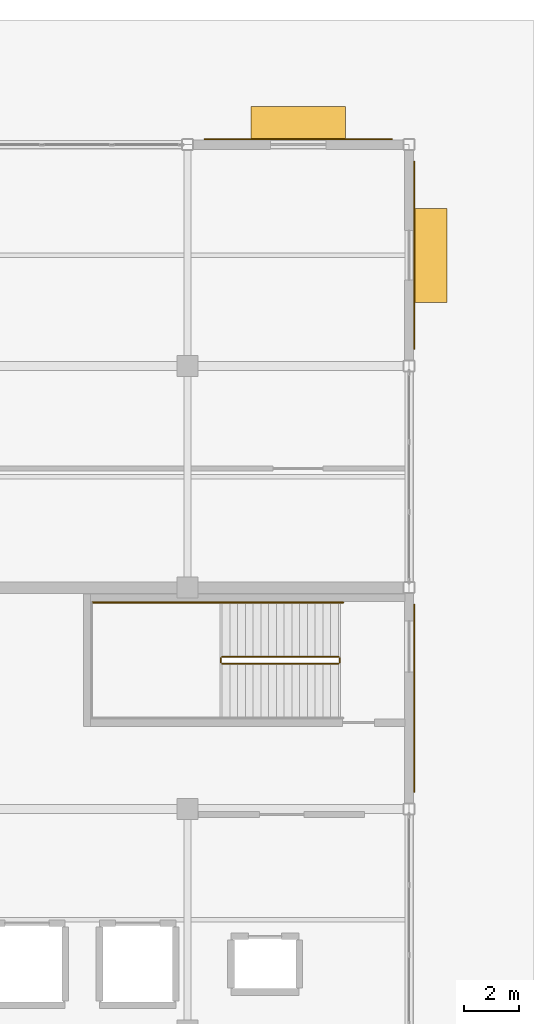
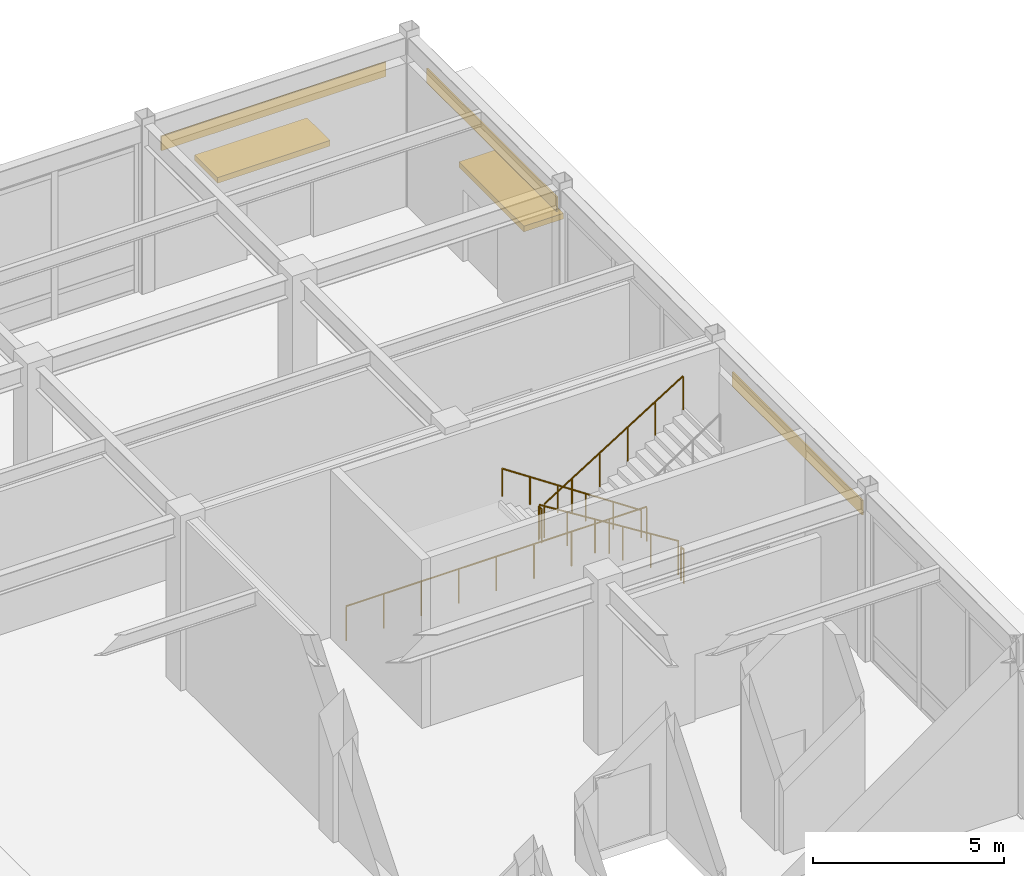
# One storey, part 127 of 128: 6 railings, 3 coverings, 2 shading devices.
"""IFC4 building model written with IfcOpenShell, lengths in metres."""

from ifc_helpers import new_model, si_unit, direction, frame, origin, origin_2d, place, context, subcontext, project, spatial, rectangle, circle, extrude, material, layer, layer_set, type_object, element, save


model = new_model("IFC4")

# Units and contexts
model_context = context("Model", 3, precision=1e-05, world=origin(), true_north=direction((0.0, 1.0)))
body_context = subcontext(model_context, "Body", "Model", "MODEL_VIEW")
ifc_project = project(units=[si_unit("LENGTHUNIT", "METRE"), si_unit("AREAUNIT", "SQUARE_METRE"), si_unit("VOLUMEUNIT", "CUBIC_METRE"), si_unit("PLANEANGLEUNIT", "RADIAN"), si_unit("MASSUNIT", "GRAM", prefix="KILO")], contexts=[model_context])

# Site, building, storey
site_placement = place(None, origin())
site = spatial("IfcSite", under=ifc_project, at=site_placement, CompositionType="ELEMENT")
building_placement = place(site_placement, origin())
building = spatial("IfcBuilding", under=site, at=building_placement, Name="Solmirada Galleria", CompositionType="ELEMENT")
storey_placement = place(building_placement, origin())
storey = spatial("IfcBuildingStorey", under=building, at=storey_placement, Name="L00", CompositionType="ELEMENT", Elevation=0.0)

# Coverings
ifc_material_1 = material(Name="Limestone cladding panels", Category="masonry")
ifc_layer = layer(ifc_material_1, 0.044921875)
ifc_layer_set = layer_set([ifc_layer], Name="Limestone cladding panels")
covering_type = type_object("IfcCoveringType", Name="COV-CLAD-LIME", PredefinedType="CLADDING", material=ifc_layer_set)
for number, where, z_axis, x_axis, name in (
    (1, (172.0, 120.1923828125, 4.090087890625), (0.0, 0.0, 1.0), (1.0, 0.0, 0.0), "Postmodern facade cladding L00-021"),
    (2, (176.1923828125, 116.0, 4.090087890625), (0.0, 0.0, 1.0), (0.0, -1.0, 0.0), "Postmodern facade cladding L00-022"),
    (3, (176.1923828125, 100.0, 4.090087890625), (0.0, 0.0, 1.0), (0.0, -1.0, 0.0), "Postmodern facade cladding L00-023"),
):
    element("IfcCovering", number, at=place(storey_placement, frame(where, z_axis=z_axis, x_axis=x_axis)), inside=storey, type_object=covering_type, Name=name, PredefinedType="CLADDING", context=body_context, shape_type="SweptSolid", body=[
        extrude(rectangle(XDim=6.7939453125, YDim=0.044921875, at=origin_2d()), origin(), (0.0, 0.0, 1.0), 0.4599609375),
    ])

# Railings
ifc_material_2 = material(Name="Painted steel tubular railing", Category="steel")
railing_type_1 = type_object("IfcRailingType", Name="RAIL-STAIR-GUARD", PredefinedType="GUARDRAIL", material=ifc_material_2)
railing_1_placement = place(storey_placement, frame((173.449951171875, 101.5, 0.175048828125)))
element("IfcRailing", 4, at=railing_1_placement, inside=storey, type_object=railing_type_1, Name="L00 ST4 stair guard 1", PredefinedType="GUARDRAIL", context=body_context, shape_type="SweptSolid", body=[
    extrude(circle(Radius=0.02392578125, at=origin_2d()), frame((0.0, 0.0, 1.076171875), z_axis=(-0.847995534698, 0.0, 0.530003370869), x_axis=(0.0, -1.0, 0.0)), (0.0, 0.0, 1.0), 4.952880859375),
    extrude(circle(Radius=0.02099609375, at=origin_2d()), origin(), (0.0, 0.0, 1.0), 1.048095703125),
    extrude(circle(Radius=0.02099609375, at=origin_2d()), frame((-0.840087890625, 0.0, 0.52490234375)), (0.0, 0.0, 1.0), 1.048095703125),
    extrude(circle(Radius=0.02099609375, at=origin_2d()), frame((-1.679931640625, 0.0, 1.050048828125)), (0.0, 0.0, 1.0), 1.048095703125),
    extrude(circle(Radius=0.02099609375, at=origin_2d()), frame((-2.52001953125, 0.0, 1.574951171875)), (0.0, 0.0, 1.0), 1.048095703125),
    extrude(circle(Radius=0.02099609375, at=origin_2d()), frame((-3.35986328125, 0.0, 2.10009765625)), (0.0, 0.0, 1.0), 1.048095703125),
    extrude(circle(Radius=0.02099609375, at=origin_2d()), frame((-4.199951171875, 0.0, 2.625)), (0.0, 0.0, 1.0), 1.048095703125),
])
railing_2_placement = place(storey_placement, frame((169.199951171875, 101.449951171875, 2.800048828125)))
element("IfcRailing", 5, at=railing_2_placement, inside=storey, type_object=railing_type_1, Name="L00 ST4 stair guard 2", PredefinedType="GUARDRAIL", context=body_context, shape_type="SweptSolid", body=[
    extrude(circle(Radius=0.02392578125, at=origin_2d()), frame((0.0, 0.0, 1.076171875), z_axis=(0.0, -1.0, 0.0), x_axis=(1.0, 0.0, 0.0)), (0.0, 0.0, 1.0), 0.14990234375),
    extrude(circle(Radius=0.02099609375, at=origin_2d()), origin(), (0.0, 0.0, 1.0), 1.048095703125),
    extrude(circle(Radius=0.02099609375, at=origin_2d()), frame((0.0, -0.14990234375, 0.0)), (0.0, 0.0, 1.0), 1.048095703125),
])
railing_3_placement = place(storey_placement, frame((169.25, 101.25, 2.97509765625)))
element("IfcRailing", 6, at=railing_3_placement, inside=storey, type_object=railing_type_1, Name="L00 ST4 stair guard 3", PredefinedType="GUARDRAIL", context=body_context, shape_type="SweptSolid", body=[
    extrude(circle(Radius=0.02392578125, at=origin_2d()), frame((0.0, 0.0, 1.076171875), z_axis=(0.847995534698, 0.0, 0.530003370869), x_axis=(0.0, 1.0, 0.0)), (0.0, 0.0, 1.0), 4.952880859375),
    extrude(circle(Radius=0.02099609375, at=origin_2d()), origin(), (0.0, 0.0, 1.0), 1.048095703125),
    extrude(circle(Radius=0.02099609375, at=origin_2d()), frame((0.840087890625, 0.0, 0.52490234375)), (0.0, 0.0, 1.0), 1.048095703125),
    extrude(circle(Radius=0.02099609375, at=origin_2d()), frame((1.679931640625, 0.0, 1.050048828125)), (0.0, 0.0, 1.0), 1.048095703125),
    extrude(circle(Radius=0.02099609375, at=origin_2d()), frame((2.52001953125, 0.0, 1.574951171875)), (0.0, 0.0, 1.0), 1.048095703125),
    extrude(circle(Radius=0.02099609375, at=origin_2d()), frame((3.35986328125, 0.0, 2.10009765625)), (0.0, 0.0, 1.0), 1.048095703125),
    extrude(circle(Radius=0.02099609375, at=origin_2d()), frame((4.199951171875, 0.0, 2.625)), (0.0, 0.0, 1.0), 1.048095703125),
])
railing_4_placement = place(storey_placement, frame((173.5, 101.449951171875, 0.0)))
element("IfcRailing", 7, at=railing_4_placement, inside=storey, type_object=railing_type_1, Name="L00 ST4 stair guard 4", PredefinedType="GUARDRAIL", context=body_context, shape_type="SweptSolid", body=[
    extrude(circle(Radius=0.02392578125, at=origin_2d()), frame((0.0, 0.0, 1.076171875), z_axis=(0.0, -1.0, 0.0), x_axis=(1.0, 0.0, 0.0)), (0.0, 0.0, 1.0), 0.14990234375),
    extrude(circle(Radius=0.02099609375, at=origin_2d()), origin(), (0.0, 0.0, 1.0), 1.048095703125),
    extrude(circle(Radius=0.02099609375, at=origin_2d()), frame((0.0, -0.14990234375, 0.0)), (0.0, 0.0, 1.0), 1.048095703125),
])
railing_5_placement = place(storey_placement, frame((164.5400390625, 103.4599609375, 0.0)))
element("IfcRailing", 8, at=railing_5_placement, inside=storey, type_object=railing_type_1, Name="Stair ST4 well edge guard L00-3", PredefinedType="GUARDRAIL", context=body_context, shape_type="SweptSolid", body=[
    extrude(circle(Radius=0.02392578125, at=origin_2d()), frame((0.0, 0.0, 1.09619140625), z_axis=(1.0, 0.0, 0.0), x_axis=(0.0, 1.0, 0.0)), (0.0, 0.0, 1.0), 9.080078125),
    extrude(circle(Radius=0.02099609375, at=origin_2d()), origin(), (0.0, 0.0, 1.0), 1.068115234375),
    extrude(circle(Radius=0.02099609375, at=origin_2d()), frame((1.135009765625, 0.0, 0.0)), (0.0, 0.0, 1.0), 1.068115234375),
    extrude(circle(Radius=0.02099609375, at=origin_2d()), frame((2.27001953125, 0.0, 0.0)), (0.0, 0.0, 1.0), 1.068115234375),
    extrude(circle(Radius=0.02099609375, at=origin_2d()), frame((3.405029296875, 0.0, 0.0)), (0.0, 0.0, 1.0), 1.068115234375),
    extrude(circle(Radius=0.02099609375, at=origin_2d()), frame((4.5400390625, 0.0, 0.0)), (0.0, 0.0, 1.0), 1.068115234375),
    extrude(circle(Radius=0.02099609375, at=origin_2d()), frame((5.675048828125, 0.0, 0.0)), (0.0, 0.0, 1.0), 1.068115234375),
    extrude(circle(Radius=0.02099609375, at=origin_2d()), frame((6.81005859375, 0.0, 0.0)), (0.0, 0.0, 1.0), 1.068115234375),
    extrude(circle(Radius=0.02099609375, at=origin_2d()), frame((7.945068359375, 0.0, 0.0)), (0.0, 0.0, 1.0), 1.068115234375),
    extrude(circle(Radius=0.02099609375, at=origin_2d()), frame((9.080078125, 0.0, 0.0)), (0.0, 0.0, 1.0), 1.068115234375),
])
railing_type_2 = type_object("IfcRailingType", Name="RAIL-STAIR-HAND", PredefinedType="HANDRAIL", material=ifc_material_2)
railing_6_placement = place(storey_placement, frame((173.449951171875, 103.449951171875, 0.175048828125)))
element("IfcRailing", 9, at=railing_6_placement, inside=storey, type_object=railing_type_2, Name="L00 ST4 stair handrail 1", PredefinedType="HANDRAIL", context=body_context, shape_type="SweptSolid", body=[
    extrude(circle(Radius=0.02392578125, at=origin_2d()), frame((0.0, 0.0, 0.8759765625), z_axis=(-0.832042853317, 0.0, 0.554711357594), x_axis=(0.0, -1.0, 0.0)), (0.0, 0.0, 1.0), 5.0478515625),
    extrude(circle(Radius=0.02099609375, at=origin_2d()), origin(), (0.0, 0.0, 1.0), 0.847900390625),
    extrude(circle(Radius=0.02099609375, at=origin_2d()), frame((-0.840087890625, 0.0, 0.56005859375)), (0.0, 0.0, 1.0), 0.847900390625),
    extrude(circle(Radius=0.02099609375, at=origin_2d()), frame((-1.679931640625, 0.0, 1.1201171875)), (0.0, 0.0, 1.0), 0.847900390625),
    extrude(circle(Radius=0.02099609375, at=origin_2d()), frame((-2.52001953125, 0.0, 1.679931640625)), (0.0, 0.0, 1.0), 0.847900390625),
    extrude(circle(Radius=0.02099609375, at=origin_2d()), frame((-3.35986328125, 0.0, 2.239990234375)), (0.0, 0.0, 1.0), 0.847900390625),
    extrude(circle(Radius=0.02099609375, at=origin_2d()), frame((-4.199951171875, 0.0, 2.800048828125)), (0.0, 0.0, 1.0), 0.847900390625),
])

# Shading devices
ifc_material_3 = material(Name="Extruded aluminium storm louvres", Category="aluminium")
shading_device_type = type_object("IfcShadingDeviceType", Name="SHD-AWNING", PredefinedType="AWNING", material=ifc_material_3)
for number, where, z_axis, x_axis, name in (
    (10, (172.0, 120.77001953125, 2.4599609375), (0.0, 0.0, 1.0), (1.0, 0.0, 0.0), "Storm entrance awning canopy 011"),
    (11, (176.77001953125, 116.0, 2.41015625), (0.0, 0.0, 1.0), (0.0, -1.0, 0.0), "Storm entrance awning canopy 012"),
):
    element("IfcShadingDevice", number, at=place(storey_placement, frame(where, z_axis=z_axis, x_axis=x_axis)), inside=storey, type_object=shading_device_type, Name=name, PredefinedType="AWNING", context=body_context, shape_type="SweptSolid", body=[
        extrude(rectangle(XDim=3.39990234375, YDim=1.199951171875, at=origin_2d()), origin(), (0.0, 0.0, 1.0), 0.179931640625),
    ])

save(model, "model.ifc")
